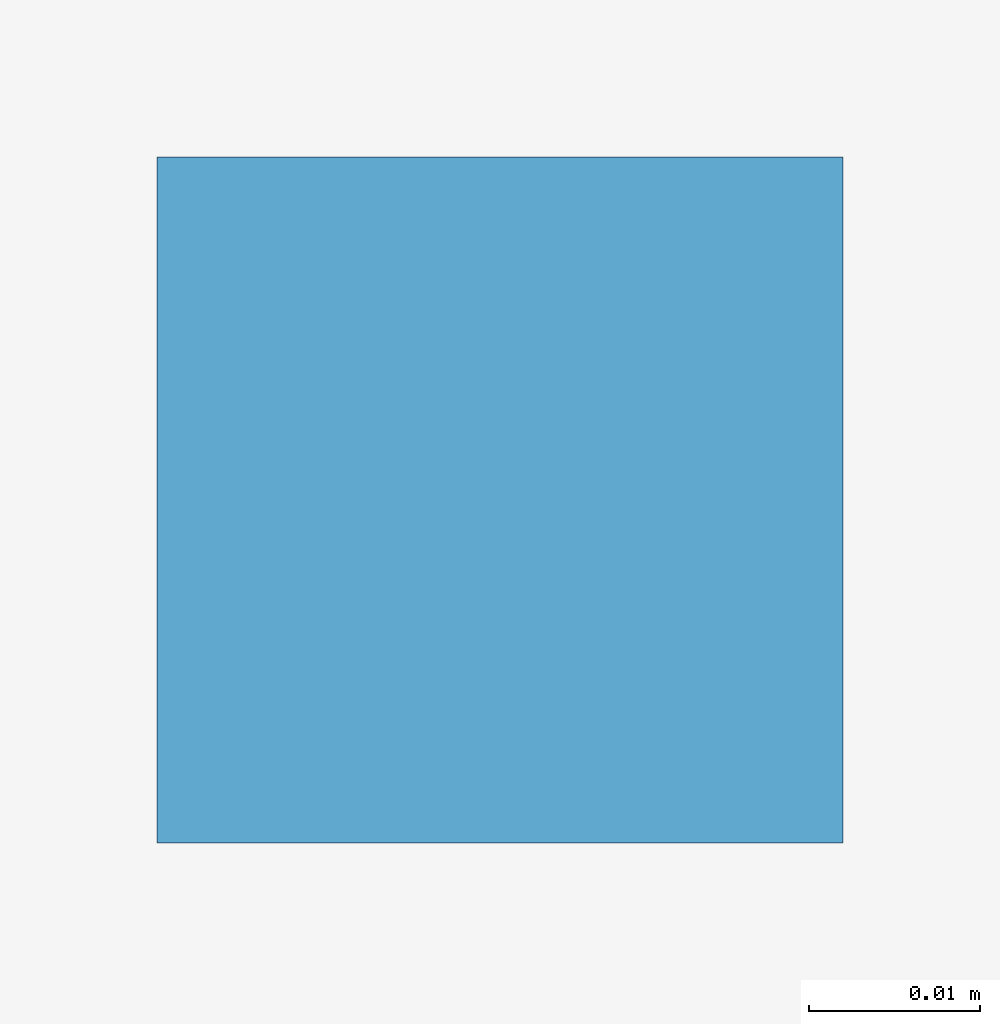
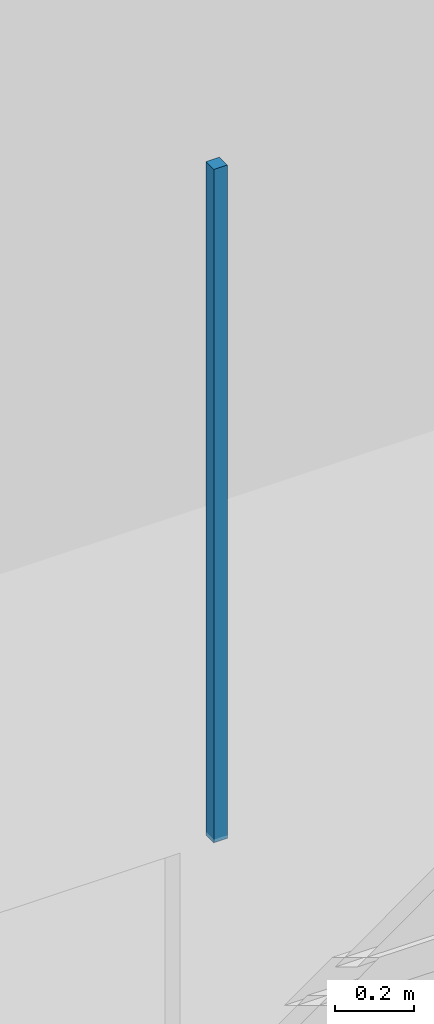
# One storey, part 130 of 157: 1 discrete accessory.
"""IFC4 building model written with IfcOpenShell, lengths in metres."""

import ifcopenshell
import ifcopenshell.guid

model = None  # the IFC model being written
_history = None  # IfcOwnerHistory: only IFC2X3 demands one
_inside = {}  # id of a spatial element -> (the spatial element, [elements in it])
_under = {}  # id of a project, library or spatial element -> (it, [spatial elements below it])
_declared = {}  # id of a project -> (the project, [libraries it declares])
_typed = {}  # id of a type object -> (the type object, [elements of that type])
_made_of = {}  # id of a material, layer set ... -> (it, [elements and type objects made of it])


def new_model(schema):
    """Start an empty IFC model of exactly this schema.

    Asked for "IFC4X3", IfcOpenShell would pick the latest addendum, in which some entities
    have other attributes; the version numbers below select the first issue.
    IFC2X3 requires an IfcOwnerHistory on every rooted entity: one is made here for all.
    """
    global model, _history
    if schema == "IFC4X3":
        model = ifcopenshell.file(schema_version=(4, 3, 0, 0))
    else:
        model = ifcopenshell.file(schema=schema)
    _inside.clear()
    _under.clear()
    _declared.clear()
    _typed.clear()
    _made_of.clear()
    _history = None
    if model.schema == "IFC2X3":
        org = make("IfcOrganization", Name="unknown")
        user = make(
            "IfcPersonAndOrganization",
            ThePerson=make("IfcPerson", FamilyName="unknown"),
            TheOrganization=org,
        )
        app = make(
            "IfcApplication",
            ApplicationDeveloper=org,
            Version="unknown",
            ApplicationFullName="unknown",
            ApplicationIdentifier="unknown",
        )
        _history = make(
            "IfcOwnerHistory",
            OwningUser=user,
            OwningApplication=app,
            ChangeAction="ADDED",
            CreationDate=0,
        )
    return model


def make(cls, **values):
    """One entity of the class cls with the attributes given. An attribute that is None is left unset."""
    return model.create_entity(
        cls, **{name: value for name, value in values.items() if value is not None}
    )


def rooted(cls, **values):
    """An entity with a GlobalId (a new one), such as an element, a storey or a relation."""
    return make(cls, GlobalId=ifcopenshell.guid.new(), OwnerHistory=_history, **values)


def si_unit(unit_type, name, prefix=None):
    """IfcSIUnit, for example si_unit("LENGTHUNIT", "METRE", prefix="MILLI")."""
    return make("IfcSIUnit", UnitType=unit_type, Prefix=prefix, Name=name)


def assignment(units):
    """IfcUnitAssignment: the units of a project."""
    return None if units is None else make("IfcUnitAssignment", Units=units)


def point(xyz):
    """IfcCartesianPoint."""
    return None if xyz is None else make("IfcCartesianPoint", Coordinates=xyz)


def direction(xyz):
    """IfcDirection."""
    return None if xyz is None else make("IfcDirection", DirectionRatios=xyz)


def frame(location, z_axis=None, x_axis=None):
    """IfcAxis2Placement3D, a coordinate frame: its origin and axes. An axis left out is left unset."""
    return make(
        "IfcAxis2Placement3D",
        Location=point(location),
        Axis=direction(z_axis),
        RefDirection=direction(x_axis),
    )


def frame_2d(location, x_axis=None):
    """IfcAxis2Placement2D, a coordinate frame in the plane: its origin and x axis."""
    return make(
        "IfcAxis2Placement2D", Location=point(location), RefDirection=direction(x_axis)
    )


def origin():
    """The frame at (0, 0, 0) with its axes left unset."""
    return frame((0.0, 0.0, 0.0))


def origin_2d():
    """The frame at (0, 0) in the plane with its x axis left unset."""
    return frame_2d((0.0, 0.0))


def place(relative_to, where):
    """IfcLocalPlacement: puts the frame where relative to a parent placement (None: the world)."""
    return make(
        "IfcLocalPlacement", PlacementRelTo=relative_to, RelativePlacement=where
    )


def context(
    kind, dimensions, precision=None, world=None, true_north=None, identifier=None
):
    """IfcGeometricRepresentationContext, for example the 3D "Model" context."""
    return make(
        "IfcGeometricRepresentationContext",
        ContextIdentifier=identifier,
        ContextType=kind,
        CoordinateSpaceDimension=dimensions,
        Precision=precision,
        WorldCoordinateSystem=world,
        TrueNorth=true_north,
    )


def subcontext(parent, identifier, kind, view, scale=None):
    """IfcGeometricRepresentationSubContext, for example "Body" below "Model"."""
    return make(
        "IfcGeometricRepresentationSubContext",
        ContextIdentifier=identifier,
        ContextType=kind,
        ParentContext=parent,
        TargetScale=scale,
        TargetView=view,
    )


def project(units=None, contexts=None):
    """IfcProject with its units and contexts."""
    return rooted(
        "IfcProject",
        Name="project",
        RepresentationContexts=contexts,
        UnitsInContext=assignment(units),
    )


def spatial(cls, under=None, at=None, **own):
    """A site, building, storey or space (cls), placed at a placement, below another one or the project."""
    s = rooted(cls, ObjectPlacement=at, **own)
    if under is not None:
        _under.setdefault(under.id(), (under, []))[1].append(s)
    return s


def profile(cls, at=None, kind="AREA", **sizes):
    """A parametric profile (cls). Its sizes go by their IFC names, for example OverallWidth=200.0."""
    return make(cls, ProfileType=kind, Position=at, **sizes)


def rectangle(**sizes):
    """IfcRectangleProfileDef."""
    return profile("IfcRectangleProfileDef", **sizes)


def extrude(swept, where, along, depth):
    """IfcExtrudedAreaSolid: the profile swept, set in the frame where, extruded along a direction by depth."""
    return make(
        "IfcExtrudedAreaSolid",
        SweptArea=swept,
        Position=where,
        ExtrudedDirection=direction(along),
        Depth=depth,
    )


def shape(context_of_items, identifier, shape_type, items):
    """IfcShapeRepresentation: the items that make up one representation, for example the "Body"."""
    return make(
        "IfcShapeRepresentation",
        ContextOfItems=context_of_items,
        RepresentationIdentifier=identifier,
        RepresentationType=shape_type,
        Items=items,
    )


def material(Name=None, Category=None):
    """IfcMaterial."""
    return make("IfcMaterial", Name=Name, Category=Category)


def made_of(thing, what):
    """Note that an element or type object is made of a material, layer set ...; save() writes the relation."""
    if what is not None:
        _made_of.setdefault(what.id(), (what, []))[1].append(thing)
    return thing


def type_object(cls, material=None, **own):
    """A type object (cls), such as IfcWallType, which elements share."""
    return made_of(rooted(cls, **own), material)


def element(
    cls,
    number,
    at=None,
    inside=None,
    cuts=None,
    type_object=None,
    material=None,
    context=None,
    identifier="Body",
    shape_type=None,
    held_by="IfcProductDefinitionShape",
    body=None,
    shapes=None,
    **own,
):
    """One element of the class cls, such as IfcWall. Its Tag is "e" and its number.

    at: its placement. inside: the storey or other place that contains it. cuts: it is an
    opening in that element (IfcRelVoidsElement). A single representation is given by context,
    identifier, shape_type and body (its items); several are given by shapes. held_by: the class
    of the entity that holds the representations. save() writes the other relations.
    """
    e = rooted(cls, Tag="e%d" % number, ObjectPlacement=at, **own)
    if body is not None:
        shapes = [shape(context, identifier, shape_type, body)]
    if shapes is not None:
        e.Representation = make(held_by, Representations=shapes)
    if inside is not None:
        _inside.setdefault(inside.id(), (inside, []))[1].append(e)
    if cuts is not None:
        rooted(
            "IfcRelVoidsElement", RelatingBuildingElement=cuts, RelatedOpeningElement=e
        )
    if type_object is not None:
        _typed.setdefault(type_object.id(), (type_object, []))[1].append(e)
    return made_of(e, material)


def aggregate(whole, parts):
    """IfcRelAggregates: a whole, such as a stair, and the parts it consists of."""
    return rooted("IfcRelAggregates", RelatingObject=whole, RelatedObjects=parts)


def save(model, path):
    """Write the relations noted so far, then the file.

    IfcRelAggregates (storeys below a building ...), IfcRelContainedInSpatialStructure (elements
    in a storey), IfcRelDefinesByType, IfcRelAssociatesMaterial and IfcRelDeclares: one each for
    every whole, place, type object, material and project.
    """
    for whole, parts in _under.values():
        aggregate(whole, parts)
    for where, things in _inside.values():
        rooted(
            "IfcRelContainedInSpatialStructure",
            RelatedElements=things,
            RelatingStructure=where,
        )
    for kind, things in _typed.values():
        rooted("IfcRelDefinesByType", RelatedObjects=things, RelatingType=kind)
    for what, things in _made_of.values():
        rooted("IfcRelAssociatesMaterial", RelatedObjects=things, RelatingMaterial=what)
    for by, libraries in _declared.values():
        rooted("IfcRelDeclares", RelatingContext=by, RelatedDefinitions=libraries)
    model.write(path)


model = new_model("IFC4")

# Units and contexts
model_context = context("Model", 3, precision=1e-05, world=origin(), true_north=direction((0.0, 1.0)))
body_context = subcontext(model_context, "Body", "Model", "MODEL_VIEW")
ifc_project = project(units=[si_unit("LENGTHUNIT", "METRE"), si_unit("AREAUNIT", "SQUARE_METRE"), si_unit("VOLUMEUNIT", "CUBIC_METRE"), si_unit("PLANEANGLEUNIT", "RADIAN"), si_unit("MASSUNIT", "GRAM", prefix="KILO")], contexts=[model_context])

# Site, building, storey
site_placement = place(None, origin())
site = spatial("IfcSite", under=ifc_project, at=site_placement, CompositionType="ELEMENT")
building_placement = place(site_placement, origin())
building = spatial("IfcBuilding", under=site, at=building_placement, Name="Varncliffe General Hospital", CompositionType="ELEMENT")
storey_placement = place(building_placement, frame((0.0, 0.0, 5.39990234375)))
storey = spatial("IfcBuildingStorey", under=building, at=storey_placement, Name="L01", CompositionType="ELEMENT", Elevation=5.39990234375)

# Discrete accessory
ifc_material = material(Name="Powder-coated hospital steel guardrail and handrail", Category="steel")
discrete_accessory_type = type_object("IfcDiscreteAccessoryType", Name="Suspended Ceiling Hanger Bracket CH01", PredefinedType="BRACKET", material=ifc_material)
discrete_accessory_placement = place(storey_placement, frame((145.89990234375, 84.429931640625, 3.18994140625), z_axis=(0.0, 0.0, 1.0), x_axis=(1.0, 0.0, 0.0)))
element("IfcDiscreteAccessory", 1, at=discrete_accessory_placement, inside=storey, type_object=discrete_accessory_type, Name="L01 Suspended Ceiling Hanger 174", PredefinedType="BRACKET", context=body_context, shape_type="SweptSolid", body=[
    extrude(rectangle(XDim=0.0400390625, YDim=0.0400390625, at=origin_2d()), origin(), (0.0, 0.0, 1.0), 2.090087890625),
])

save(model, "model.ifc")
